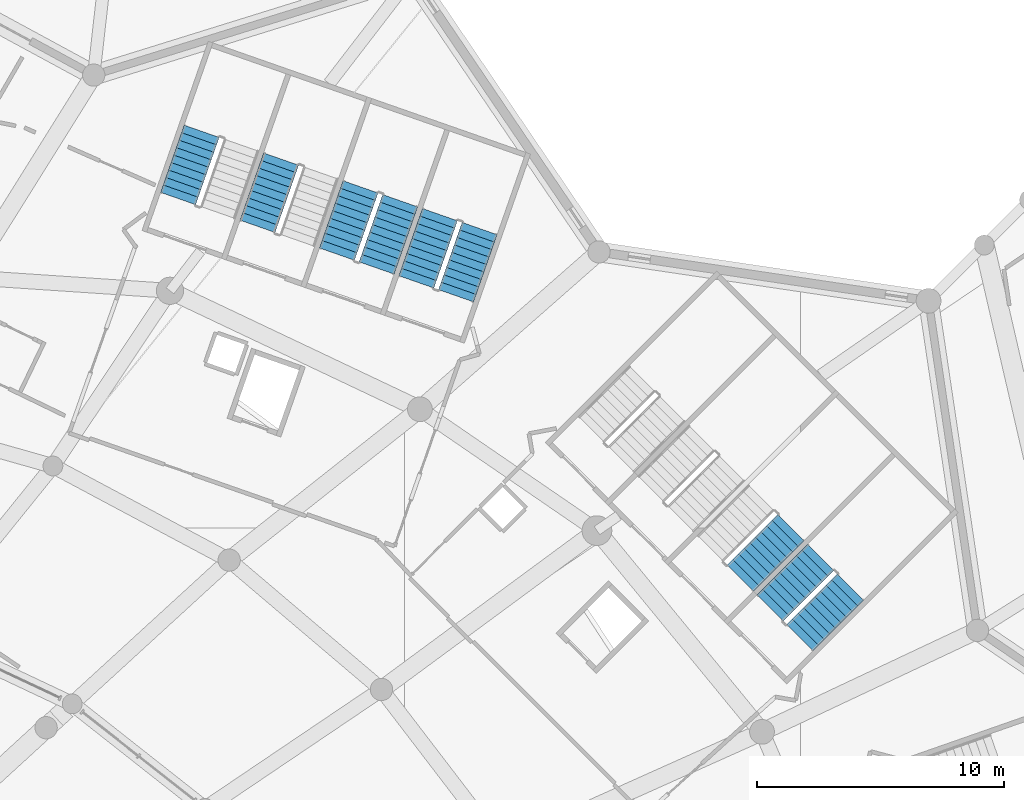
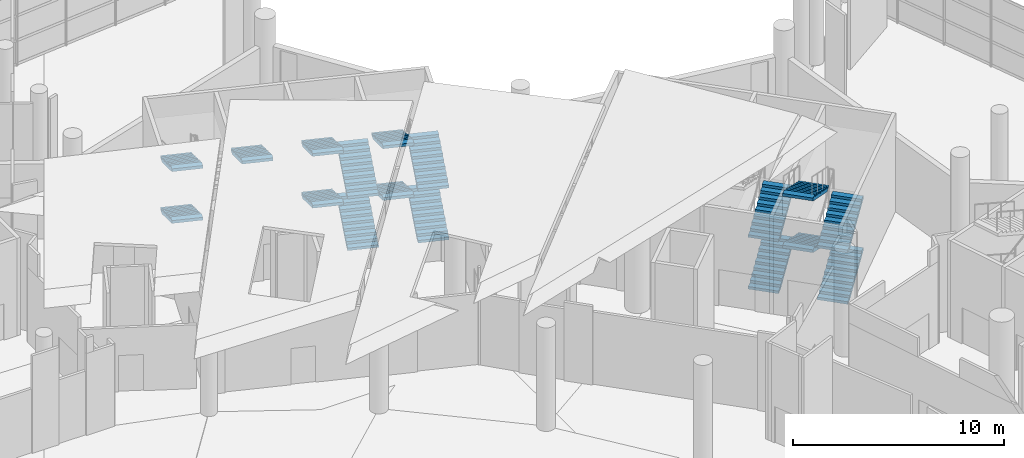
# One storey, part 198 of 249: 17 stair flights, 6 elements without a shape of their own.
"""IFC4 building model written with IfcOpenShell, lengths in metres."""

from ifc_helpers import new_model, si_unit, direction, frame, origin, place, context, subcontext, project, spatial, polyline, outline, extrude, material, type_object, element, aggregate, save


model = new_model("IFC4")

# Units and contexts
model_context = context("Model", 3, precision=1e-05, world=origin(), true_north=direction((0.0, 1.0)))
body_context = subcontext(model_context, "Body", "Model", "MODEL_VIEW")
ifc_project = project(units=[si_unit("LENGTHUNIT", "METRE"), si_unit("AREAUNIT", "SQUARE_METRE"), si_unit("VOLUMEUNIT", "CUBIC_METRE"), si_unit("PLANEANGLEUNIT", "RADIAN"), si_unit("MASSUNIT", "GRAM", prefix="KILO")], contexts=[model_context])

# Site, building, storey
site_placement = place(None, origin())
site = spatial("IfcSite", under=ifc_project, at=site_placement, CompositionType="ELEMENT")
building_placement = place(site_placement, origin())
building = spatial("IfcBuilding", under=site, at=building_placement, Name="Meseta Stadium", CompositionType="ELEMENT")
storey_placement = place(building_placement, frame((0.0, 0.0, 12.0)))
storey = spatial("IfcBuildingStorey", under=building, at=storey_placement, Name="L02", CompositionType="ELEMENT", Elevation=12.0)

# Stair, stair flights
ifc_material_1 = material(Name="Concrete C40/50", Category="concrete")
stair_type = type_object("IfcStairType", Name="Exit stair 4 flights 150 mm risers", PredefinedType="HALF_TURN_STAIR", material=ifc_material_1)
stair_1_placement = place(storey_placement, origin())
stair_1 = element("IfcStair", 1, at=stair_1_placement, inside=storey, type_object=stair_type, Name="ST25 L02", PredefinedType="HALF_TURN_STAIR")
ifc_material_2 = material(Name="Concrete C40/50", Category="concrete")
stair_flight_type = type_object("IfcStairFlightType", Name="Exit stair flight 150 mm risers, 4 per storey", PredefinedType="STRAIGHT", material=ifc_material_2)
stair_flight_1_placement = place(storey_placement, frame((79.9765625, 75.56201171875, 0.0), z_axis=(0.0, 0.0, 1.0), x_axis=(0.707106781187, 0.707106781187, 0.0)))
stair_flight_1 = element("IfcStairFlight", 2, at=stair_flight_1_placement, type_object=stair_flight_type, Name="ST25 L02 flight 1", NumberOfRisers=10, NumberOfTreads=9, PredefinedType="STRAIGHT", RiserHeight=0.15, TreadLength=0.32, context=body_context, shape_type="SweptSolid", body=[
    extrude(outline(polyline([(0.0, 0.0), (0.0, 0.14990234375), (0.320068359375, 0.14990234375), (0.320068359375, 0.300048828125), (0.639892578125, 0.300048828125), (0.639892578125, 0.449951171875), (0.9599609375, 0.449951171875), (0.9599609375, 0.60009765625), (1.280029296875, 0.60009765625), (1.280029296875, 0.75), (1.60009765625, 0.75), (1.60009765625, 0.89990234375), (1.919921875, 0.89990234375), (1.919921875, 1.050048828125), (2.239990234375, 1.050048828125), (2.239990234375, 1.199951171875), (2.56005859375, 1.199951171875), (2.56005859375, 1.35009765625), (2.8798828125, 1.35009765625), (2.8798828125, 1.184326171875), (0.353271484375, 0.0), (0.0, 0.0)])), frame((0.0, 0.75, 0.0), z_axis=(0.0, -1.0, 0.0), x_axis=(1.0, 0.0, 0.0)), (0.0, 0.0, 1.0), 1.5),
])
stair_flight_2_placement = place(storey_placement, frame((80.810791015625, 78.800537109375, 1.5), z_axis=(0.0, 0.0, 1.0), x_axis=(-0.707106781187, -0.707106781187, 0.0)))
stair_flight_2 = element("IfcStairFlight", 3, at=stair_flight_2_placement, type_object=stair_flight_type, Name="ST25 L02 flight 2", NumberOfRisers=10, NumberOfTreads=9, PredefinedType="STRAIGHT", RiserHeight=0.15, TreadLength=0.32, context=body_context, shape_type="SweptSolid", body=[
    extrude(outline(polyline([(0.0, 0.0), (0.0, 0.14990234375), (0.320068359375, 0.14990234375), (0.320068359375, 0.300048828125), (0.639892578125, 0.300048828125), (0.639892578125, 0.449951171875), (0.9599609375, 0.449951171875), (0.9599609375, 0.60009765625), (1.280029296875, 0.60009765625), (1.280029296875, 0.75), (1.60009765625, 0.75), (1.60009765625, 0.89990234375), (1.919921875, 0.89990234375), (1.919921875, 1.050048828125), (2.239990234375, 1.050048828125), (2.239990234375, 1.199951171875), (2.56005859375, 1.199951171875), (2.56005859375, 1.35009765625), (2.8798828125, 1.35009765625), (2.8798828125, 1.184326171875), (0.353271484375, 0.0), (0.0, 0.0)])), frame((0.0, 0.75, 0.0), z_axis=(0.0, -1.0, 0.0), x_axis=(1.0, 0.0, 0.0)), (0.0, 0.0, 1.0), 1.5),
])
stair_flight_3_placement = place(storey_placement, frame((79.9765625, 75.56201171875, 3.0), z_axis=(0.0, 0.0, 1.0), x_axis=(0.707106781187, 0.707106781187, 0.0)))
stair_flight_3 = element("IfcStairFlight", 4, at=stair_flight_3_placement, type_object=stair_flight_type, Name="ST25 L02 flight 3", NumberOfRisers=10, NumberOfTreads=9, PredefinedType="STRAIGHT", RiserHeight=0.15, TreadLength=0.32, context=body_context, shape_type="SweptSolid", body=[
    extrude(outline(polyline([(0.0, 0.0), (0.0, 0.14990234375), (0.320068359375, 0.14990234375), (0.320068359375, 0.300048828125), (0.639892578125, 0.300048828125), (0.639892578125, 0.449951171875), (0.9599609375, 0.449951171875), (0.9599609375, 0.60009765625), (1.280029296875, 0.60009765625), (1.280029296875, 0.75), (1.60009765625, 0.75), (1.60009765625, 0.89990234375), (1.919921875, 0.89990234375), (1.919921875, 1.050048828125), (2.239990234375, 1.050048828125), (2.239990234375, 1.199951171875), (2.56005859375, 1.199951171875), (2.56005859375, 1.35009765625), (2.8798828125, 1.35009765625), (2.8798828125, 1.184326171875), (0.353271484375, 0.0), (0.0, 0.0)])), frame((0.0, 0.75, 0.0), z_axis=(0.0, -1.0, 0.0), x_axis=(1.0, 0.0, 0.0)), (0.0, 0.0, 1.0), 1.5),
])
stair_flight_4_placement = place(storey_placement, frame((80.810791015625, 78.800537109375, 4.5), z_axis=(0.0, 0.0, 1.0), x_axis=(-0.707106781187, -0.707106781187, 0.0)))
stair_flight_4 = element("IfcStairFlight", 5, at=stair_flight_4_placement, type_object=stair_flight_type, Name="ST25 L02 flight 4", NumberOfRisers=10, NumberOfTreads=9, PredefinedType="STRAIGHT", RiserHeight=0.15, TreadLength=0.32, context=body_context, shape_type="SweptSolid", body=[
    extrude(outline(polyline([(0.0, 0.0), (0.0, 0.14990234375), (0.320068359375, 0.14990234375), (0.320068359375, 0.300048828125), (0.639892578125, 0.300048828125), (0.639892578125, 0.449951171875), (0.9599609375, 0.449951171875), (0.9599609375, 0.60009765625), (1.280029296875, 0.60009765625), (1.280029296875, 0.75), (1.60009765625, 0.75), (1.60009765625, 0.89990234375), (1.919921875, 0.89990234375), (1.919921875, 1.050048828125), (2.239990234375, 1.050048828125), (2.239990234375, 1.199951171875), (2.56005859375, 1.199951171875), (2.56005859375, 1.35009765625), (2.8798828125, 1.35009765625), (2.8798828125, 1.184326171875), (0.353271484375, 0.0), (0.0, 0.0)])), frame((0.0, 0.75, 0.0), z_axis=(0.0, -1.0, 0.0), x_axis=(1.0, 0.0, 0.0)), (0.0, 0.0, 1.0), 1.5),
])
aggregate(stair_1, [stair_flight_1, stair_flight_2, stair_flight_3, stair_flight_4])

stair_2_placement = place(storey_placement, origin())
stair_2 = element("IfcStair", 6, at=stair_2_placement, inside=storey, type_object=stair_type, Name="ST26 L02", PredefinedType="HALF_TURN_STAIR")
stair_flight_5_placement = place(storey_placement, frame((77.572265625, 77.966064453125, 0.0), z_axis=(0.0, 0.0, 1.0), x_axis=(0.707106781187, 0.707106781187, 0.0)))
stair_flight_5 = element("IfcStairFlight", 7, at=stair_flight_5_placement, type_object=stair_flight_type, Name="ST26 L02 flight 1", NumberOfRisers=10, NumberOfTreads=9, PredefinedType="STRAIGHT", RiserHeight=0.15, TreadLength=0.32, context=body_context, shape_type="SweptSolid", body=[
    extrude(outline(polyline([(0.0, 0.0), (0.0, 0.14990234375), (0.320068359375, 0.14990234375), (0.320068359375, 0.300048828125), (0.639892578125, 0.300048828125), (0.639892578125, 0.449951171875), (0.9599609375, 0.449951171875), (0.9599609375, 0.60009765625), (1.280029296875, 0.60009765625), (1.280029296875, 0.75), (1.60009765625, 0.75), (1.60009765625, 0.89990234375), (1.919921875, 0.89990234375), (1.919921875, 1.050048828125), (2.239990234375, 1.050048828125), (2.239990234375, 1.199951171875), (2.56005859375, 1.199951171875), (2.56005859375, 1.35009765625), (2.8798828125, 1.35009765625), (2.8798828125, 1.184326171875), (0.353271484375, 0.0), (0.0, 0.0)])), frame((0.0, 0.75, 0.0), z_axis=(0.0, -1.0, 0.0), x_axis=(1.0, 0.0, 0.0)), (0.0, 0.0, 1.0), 1.5),
])
stair_flight_6_placement = place(storey_placement, frame((77.572265625, 77.966064453125, 3.0), z_axis=(0.0, 0.0, 1.0), x_axis=(0.707106781187, 0.707106781187, 0.0)))
stair_flight_6 = element("IfcStairFlight", 8, at=stair_flight_6_placement, type_object=stair_flight_type, Name="ST26 L02 flight 3", NumberOfRisers=10, NumberOfTreads=9, PredefinedType="STRAIGHT", RiserHeight=0.15, TreadLength=0.32, context=body_context, shape_type="SweptSolid", body=[
    extrude(outline(polyline([(0.0, 0.0), (0.0, 0.14990234375), (0.320068359375, 0.14990234375), (0.320068359375, 0.300048828125), (0.639892578125, 0.300048828125), (0.639892578125, 0.449951171875), (0.9599609375, 0.449951171875), (0.9599609375, 0.60009765625), (1.280029296875, 0.60009765625), (1.280029296875, 0.75), (1.60009765625, 0.75), (1.60009765625, 0.89990234375), (1.919921875, 0.89990234375), (1.919921875, 1.050048828125), (2.239990234375, 1.050048828125), (2.239990234375, 1.199951171875), (2.56005859375, 1.199951171875), (2.56005859375, 1.35009765625), (2.8798828125, 1.35009765625), (2.8798828125, 1.184326171875), (0.353271484375, 0.0), (0.0, 0.0)])), frame((0.0, 0.75, 0.0), z_axis=(0.0, -1.0, 0.0), x_axis=(1.0, 0.0, 0.0)), (0.0, 0.0, 1.0), 1.5),
])
aggregate(stair_2, [stair_flight_5, stair_flight_6])

stair_3_placement = place(storey_placement, origin())
stair_3 = element("IfcStair", 9, at=stair_3_placement, inside=storey, type_object=stair_type, Name="ST29 L02", PredefinedType="HALF_TURN_STAIR")
stair_flight_7_placement = place(storey_placement, frame((66.082275390625, 89.376953125, 0.0), z_axis=(0.0, 0.0, 1.0), x_axis=(0.330279057248, 0.943883331955, 0.0)))
stair_flight_7 = element("IfcStairFlight", 10, at=stair_flight_7_placement, type_object=stair_flight_type, Name="ST29 L02 flight 1", NumberOfRisers=10, NumberOfTreads=9, PredefinedType="STRAIGHT", RiserHeight=0.15, TreadLength=0.32, context=body_context, shape_type="SweptSolid", body=[
    extrude(outline(polyline([(0.0, 0.0), (0.0, 0.14990234375), (0.320068359375, 0.14990234375), (0.320068359375, 0.300048828125), (0.639892578125, 0.300048828125), (0.639892578125, 0.449951171875), (0.9599609375, 0.449951171875), (0.9599609375, 0.60009765625), (1.280029296875, 0.60009765625), (1.280029296875, 0.75), (1.60009765625, 0.75), (1.60009765625, 0.89990234375), (1.919921875, 0.89990234375), (1.919921875, 1.050048828125), (2.239990234375, 1.050048828125), (2.239990234375, 1.199951171875), (2.56005859375, 1.199951171875), (2.56005859375, 1.35009765625), (2.8798828125, 1.35009765625), (2.8798828125, 1.184326171875), (0.353271484375, 0.0), (0.0, 0.0)])), frame((0.0, 0.75, 0.0), z_axis=(0.0, -1.0, 0.0), x_axis=(1.0, 0.0, 0.0)), (0.0, 0.0, 1.0), 1.5),
])
stair_flight_8_placement = place(storey_placement, frame((65.428955078125, 92.65673828125, 1.5), z_axis=(0.0, 0.0, 1.0), x_axis=(-0.330279057248, -0.943883331955, 0.0)))
stair_flight_8 = element("IfcStairFlight", 11, at=stair_flight_8_placement, type_object=stair_flight_type, Name="ST29 L02 flight 2", NumberOfRisers=10, NumberOfTreads=9, PredefinedType="STRAIGHT", RiserHeight=0.15, TreadLength=0.32, context=body_context, shape_type="SweptSolid", body=[
    extrude(outline(polyline([(0.0, 0.0), (0.0, 0.14990234375), (0.320068359375, 0.14990234375), (0.320068359375, 0.300048828125), (0.639892578125, 0.300048828125), (0.639892578125, 0.449951171875), (0.9599609375, 0.449951171875), (0.9599609375, 0.60009765625), (1.280029296875, 0.60009765625), (1.280029296875, 0.75), (1.60009765625, 0.75), (1.60009765625, 0.89990234375), (1.919921875, 0.89990234375), (1.919921875, 1.050048828125), (2.239990234375, 1.050048828125), (2.239990234375, 1.199951171875), (2.56005859375, 1.199951171875), (2.56005859375, 1.35009765625), (2.8798828125, 1.35009765625), (2.8798828125, 1.184326171875), (0.353271484375, 0.0), (0.0, 0.0)])), frame((0.0, 0.75, 0.0), z_axis=(0.0, -1.0, 0.0), x_axis=(1.0, 0.0, 0.0)), (0.0, 0.0, 1.0), 1.5),
])
stair_flight_9_placement = place(storey_placement, frame((66.082275390625, 89.376953125, 3.0), z_axis=(0.0, 0.0, 1.0), x_axis=(0.330279057248, 0.943883331955, 0.0)))
stair_flight_9 = element("IfcStairFlight", 12, at=stair_flight_9_placement, type_object=stair_flight_type, Name="ST29 L02 flight 3", NumberOfRisers=10, NumberOfTreads=9, PredefinedType="STRAIGHT", RiserHeight=0.15, TreadLength=0.32, context=body_context, shape_type="SweptSolid", body=[
    extrude(outline(polyline([(0.0, 0.0), (0.0, 0.14990234375), (0.320068359375, 0.14990234375), (0.320068359375, 0.300048828125), (0.639892578125, 0.300048828125), (0.639892578125, 0.449951171875), (0.9599609375, 0.449951171875), (0.9599609375, 0.60009765625), (1.280029296875, 0.60009765625), (1.280029296875, 0.75), (1.60009765625, 0.75), (1.60009765625, 0.89990234375), (1.919921875, 0.89990234375), (1.919921875, 1.050048828125), (2.239990234375, 1.050048828125), (2.239990234375, 1.199951171875), (2.56005859375, 1.199951171875), (2.56005859375, 1.35009765625), (2.8798828125, 1.35009765625), (2.8798828125, 1.184326171875), (0.353271484375, 0.0), (0.0, 0.0)])), frame((0.0, 0.75, 0.0), z_axis=(0.0, -1.0, 0.0), x_axis=(1.0, 0.0, 0.0)), (0.0, 0.0, 1.0), 1.5),
])
stair_flight_10_placement = place(storey_placement, frame((65.428955078125, 92.65673828125, 4.5), z_axis=(0.0, 0.0, 1.0), x_axis=(-0.330279057248, -0.943883331955, 0.0)))
stair_flight_10 = element("IfcStairFlight", 13, at=stair_flight_10_placement, type_object=stair_flight_type, Name="ST29 L02 flight 4", NumberOfRisers=10, NumberOfTreads=9, PredefinedType="STRAIGHT", RiserHeight=0.15, TreadLength=0.32, context=body_context, shape_type="SweptSolid", body=[
    extrude(outline(polyline([(0.0, 0.0), (0.0, 0.14990234375), (0.320068359375, 0.14990234375), (0.320068359375, 0.300048828125), (0.639892578125, 0.300048828125), (0.639892578125, 0.449951171875), (0.9599609375, 0.449951171875), (0.9599609375, 0.60009765625), (1.280029296875, 0.60009765625), (1.280029296875, 0.75), (1.60009765625, 0.75), (1.60009765625, 0.89990234375), (1.919921875, 0.89990234375), (1.919921875, 1.050048828125), (2.239990234375, 1.050048828125), (2.239990234375, 1.199951171875), (2.56005859375, 1.199951171875), (2.56005859375, 1.35009765625), (2.8798828125, 1.35009765625), (2.8798828125, 1.184326171875), (0.353271484375, 0.0), (0.0, 0.0)])), frame((0.0, 0.75, 0.0), z_axis=(0.0, -1.0, 0.0), x_axis=(1.0, 0.0, 0.0)), (0.0, 0.0, 1.0), 1.5),
])
aggregate(stair_3, [stair_flight_7, stair_flight_8, stair_flight_9, stair_flight_10])

stair_4_placement = place(storey_placement, origin())
stair_4 = element("IfcStair", 14, at=stair_4_placement, inside=storey, type_object=stair_type, Name="ST30 L02", PredefinedType="HALF_TURN_STAIR")
stair_flight_11_placement = place(storey_placement, frame((62.873046875, 90.5, 0.0), z_axis=(0.0, 0.0, 1.0), x_axis=(0.330279057248, 0.943883331955, 0.0)))
stair_flight_11 = element("IfcStairFlight", 15, at=stair_flight_11_placement, type_object=stair_flight_type, Name="ST30 L02 flight 1", NumberOfRisers=10, NumberOfTreads=9, PredefinedType="STRAIGHT", RiserHeight=0.15, TreadLength=0.32, context=body_context, shape_type="SweptSolid", body=[
    extrude(outline(polyline([(0.0, 0.0), (0.0, 0.14990234375), (0.320068359375, 0.14990234375), (0.320068359375, 0.300048828125), (0.639892578125, 0.300048828125), (0.639892578125, 0.449951171875), (0.9599609375, 0.449951171875), (0.9599609375, 0.60009765625), (1.280029296875, 0.60009765625), (1.280029296875, 0.75), (1.60009765625, 0.75), (1.60009765625, 0.89990234375), (1.919921875, 0.89990234375), (1.919921875, 1.050048828125), (2.239990234375, 1.050048828125), (2.239990234375, 1.199951171875), (2.56005859375, 1.199951171875), (2.56005859375, 1.35009765625), (2.8798828125, 1.35009765625), (2.8798828125, 1.184326171875), (0.353271484375, 0.0), (0.0, 0.0)])), frame((0.0, 0.75, 0.0), z_axis=(0.0, -1.0, 0.0), x_axis=(1.0, 0.0, 0.0)), (0.0, 0.0, 1.0), 1.5),
])
stair_flight_12_placement = place(storey_placement, frame((62.2197265625, 93.77978515625, 1.5), z_axis=(0.0, 0.0, 1.0), x_axis=(-0.330279057248, -0.943883331955, 0.0)))
stair_flight_12 = element("IfcStairFlight", 16, at=stair_flight_12_placement, type_object=stair_flight_type, Name="ST30 L02 flight 2", NumberOfRisers=10, NumberOfTreads=9, PredefinedType="STRAIGHT", RiserHeight=0.15, TreadLength=0.32, context=body_context, shape_type="SweptSolid", body=[
    extrude(outline(polyline([(0.0, 0.0), (0.0, 0.14990234375), (0.320068359375, 0.14990234375), (0.320068359375, 0.300048828125), (0.639892578125, 0.300048828125), (0.639892578125, 0.449951171875), (0.9599609375, 0.449951171875), (0.9599609375, 0.60009765625), (1.280029296875, 0.60009765625), (1.280029296875, 0.75), (1.60009765625, 0.75), (1.60009765625, 0.89990234375), (1.919921875, 0.89990234375), (1.919921875, 1.050048828125), (2.239990234375, 1.050048828125), (2.239990234375, 1.199951171875), (2.56005859375, 1.199951171875), (2.56005859375, 1.35009765625), (2.8798828125, 1.35009765625), (2.8798828125, 1.184326171875), (0.353271484375, 0.0), (0.0, 0.0)])), frame((0.0, 0.75, 0.0), z_axis=(0.0, -1.0, 0.0), x_axis=(1.0, 0.0, 0.0)), (0.0, 0.0, 1.0), 1.5),
])
stair_flight_13_placement = place(storey_placement, frame((62.873046875, 90.5, 3.0), z_axis=(0.0, 0.0, 1.0), x_axis=(0.330279057248, 0.943883331955, 0.0)))
stair_flight_13 = element("IfcStairFlight", 17, at=stair_flight_13_placement, type_object=stair_flight_type, Name="ST30 L02 flight 3", NumberOfRisers=10, NumberOfTreads=9, PredefinedType="STRAIGHT", RiserHeight=0.15, TreadLength=0.32, context=body_context, shape_type="SweptSolid", body=[
    extrude(outline(polyline([(0.0, 0.0), (0.0, 0.14990234375), (0.320068359375, 0.14990234375), (0.320068359375, 0.300048828125), (0.639892578125, 0.300048828125), (0.639892578125, 0.449951171875), (0.9599609375, 0.449951171875), (0.9599609375, 0.60009765625), (1.280029296875, 0.60009765625), (1.280029296875, 0.75), (1.60009765625, 0.75), (1.60009765625, 0.89990234375), (1.919921875, 0.89990234375), (1.919921875, 1.050048828125), (2.239990234375, 1.050048828125), (2.239990234375, 1.199951171875), (2.56005859375, 1.199951171875), (2.56005859375, 1.35009765625), (2.8798828125, 1.35009765625), (2.8798828125, 1.184326171875), (0.353271484375, 0.0), (0.0, 0.0)])), frame((0.0, 0.75, 0.0), z_axis=(0.0, -1.0, 0.0), x_axis=(1.0, 0.0, 0.0)), (0.0, 0.0, 1.0), 1.5),
])
stair_flight_14_placement = place(storey_placement, frame((62.2197265625, 93.77978515625, 4.5), z_axis=(0.0, 0.0, 1.0), x_axis=(-0.330279057248, -0.943883331955, 0.0)))
stair_flight_14 = element("IfcStairFlight", 18, at=stair_flight_14_placement, type_object=stair_flight_type, Name="ST30 L02 flight 4", NumberOfRisers=10, NumberOfTreads=9, PredefinedType="STRAIGHT", RiserHeight=0.15, TreadLength=0.32, context=body_context, shape_type="SweptSolid", body=[
    extrude(outline(polyline([(0.0, 0.0), (0.0, 0.14990234375), (0.320068359375, 0.14990234375), (0.320068359375, 0.300048828125), (0.639892578125, 0.300048828125), (0.639892578125, 0.449951171875), (0.9599609375, 0.449951171875), (0.9599609375, 0.60009765625), (1.280029296875, 0.60009765625), (1.280029296875, 0.75), (1.60009765625, 0.75), (1.60009765625, 0.89990234375), (1.919921875, 0.89990234375), (1.919921875, 1.050048828125), (2.239990234375, 1.050048828125), (2.239990234375, 1.199951171875), (2.56005859375, 1.199951171875), (2.56005859375, 1.35009765625), (2.8798828125, 1.35009765625), (2.8798828125, 1.184326171875), (0.353271484375, 0.0), (0.0, 0.0)])), frame((0.0, 0.75, 0.0), z_axis=(0.0, -1.0, 0.0), x_axis=(1.0, 0.0, 0.0)), (0.0, 0.0, 1.0), 1.5),
])
aggregate(stair_4, [stair_flight_11, stair_flight_12, stair_flight_13, stair_flight_14])

# Stair, stair flight
stair_5_placement = place(storey_placement, origin())
stair_5 = element("IfcStair", 19, at=stair_5_placement, inside=storey, type_object=stair_type, Name="ST31 L02", PredefinedType="HALF_TURN_STAIR")
stair_flight_15_placement = place(storey_placement, frame((59.010498046875, 94.902587890625, 4.5), z_axis=(0.0, 0.0, 1.0), x_axis=(-0.330279057248, -0.943883331955, 0.0)))
stair_flight_15 = element("IfcStairFlight", 20, at=stair_flight_15_placement, type_object=stair_flight_type, Name="ST31 L02 flight 4", NumberOfRisers=10, NumberOfTreads=9, PredefinedType="STRAIGHT", RiserHeight=0.15, TreadLength=0.32, context=body_context, shape_type="SweptSolid", body=[
    extrude(outline(polyline([(0.0, 0.0), (0.0, 0.14990234375), (0.320068359375, 0.14990234375), (0.320068359375, 0.300048828125), (0.639892578125, 0.300048828125), (0.639892578125, 0.449951171875), (0.9599609375, 0.449951171875), (0.9599609375, 0.60009765625), (1.280029296875, 0.60009765625), (1.280029296875, 0.75), (1.60009765625, 0.75), (1.60009765625, 0.89990234375), (1.919921875, 0.89990234375), (1.919921875, 1.050048828125), (2.239990234375, 1.050048828125), (2.239990234375, 1.199951171875), (2.56005859375, 1.199951171875), (2.56005859375, 1.35009765625), (2.8798828125, 1.35009765625), (2.8798828125, 1.184326171875), (0.353271484375, 0.0), (0.0, 0.0)])), frame((0.0, 0.75, 0.0), z_axis=(0.0, -1.0, 0.0), x_axis=(1.0, 0.0, 0.0)), (0.0, 0.0, 1.0), 1.5),
])
aggregate(stair_5, [stair_flight_15])

# Stair, stair flights
stair_6_placement = place(storey_placement, origin())
stair_6 = element("IfcStair", 21, at=stair_6_placement, inside=storey, type_object=stair_type, Name="ST32 L02", PredefinedType="HALF_TURN_STAIR")
stair_flight_16_placement = place(storey_placement, frame((55.80126953125, 96.025634765625, 1.5), z_axis=(0.0, 0.0, 1.0), x_axis=(-0.330279057248, -0.943883331955, 0.0)))
stair_flight_16 = element("IfcStairFlight", 22, at=stair_flight_16_placement, type_object=stair_flight_type, Name="ST32 L02 flight 2", NumberOfRisers=10, NumberOfTreads=9, PredefinedType="STRAIGHT", RiserHeight=0.15, TreadLength=0.32, context=body_context, shape_type="SweptSolid", body=[
    extrude(outline(polyline([(0.0, 0.0), (0.0, 0.14990234375), (0.320068359375, 0.14990234375), (0.320068359375, 0.300048828125), (0.639892578125, 0.300048828125), (0.639892578125, 0.449951171875), (0.9599609375, 0.449951171875), (0.9599609375, 0.60009765625), (1.280029296875, 0.60009765625), (1.280029296875, 0.75), (1.60009765625, 0.75), (1.60009765625, 0.89990234375), (1.919921875, 0.89990234375), (1.919921875, 1.050048828125), (2.239990234375, 1.050048828125), (2.239990234375, 1.199951171875), (2.56005859375, 1.199951171875), (2.56005859375, 1.35009765625), (2.8798828125, 1.35009765625), (2.8798828125, 1.184326171875), (0.353271484375, 0.0), (0.0, 0.0)])), frame((0.0, 0.75, 0.0), z_axis=(0.0, -1.0, 0.0), x_axis=(1.0, 0.0, 0.0)), (0.0, 0.0, 1.0), 1.5),
])
stair_flight_17_placement = place(storey_placement, frame((55.80126953125, 96.025634765625, 4.5), z_axis=(0.0, 0.0, 1.0), x_axis=(-0.330279057248, -0.943883331955, 0.0)))
stair_flight_17 = element("IfcStairFlight", 23, at=stair_flight_17_placement, type_object=stair_flight_type, Name="ST32 L02 flight 4", NumberOfRisers=10, NumberOfTreads=9, PredefinedType="STRAIGHT", RiserHeight=0.15, TreadLength=0.32, context=body_context, shape_type="SweptSolid", body=[
    extrude(outline(polyline([(0.0, 0.0), (0.0, 0.14990234375), (0.320068359375, 0.14990234375), (0.320068359375, 0.300048828125), (0.639892578125, 0.300048828125), (0.639892578125, 0.449951171875), (0.9599609375, 0.449951171875), (0.9599609375, 0.60009765625), (1.280029296875, 0.60009765625), (1.280029296875, 0.75), (1.60009765625, 0.75), (1.60009765625, 0.89990234375), (1.919921875, 0.89990234375), (1.919921875, 1.050048828125), (2.239990234375, 1.050048828125), (2.239990234375, 1.199951171875), (2.56005859375, 1.199951171875), (2.56005859375, 1.35009765625), (2.8798828125, 1.35009765625), (2.8798828125, 1.184326171875), (0.353271484375, 0.0), (0.0, 0.0)])), frame((0.0, 0.75, 0.0), z_axis=(0.0, -1.0, 0.0), x_axis=(1.0, 0.0, 0.0)), (0.0, 0.0, 1.0), 1.5),
])
aggregate(stair_6, [stair_flight_16, stair_flight_17])

save(model, "model.ifc")
